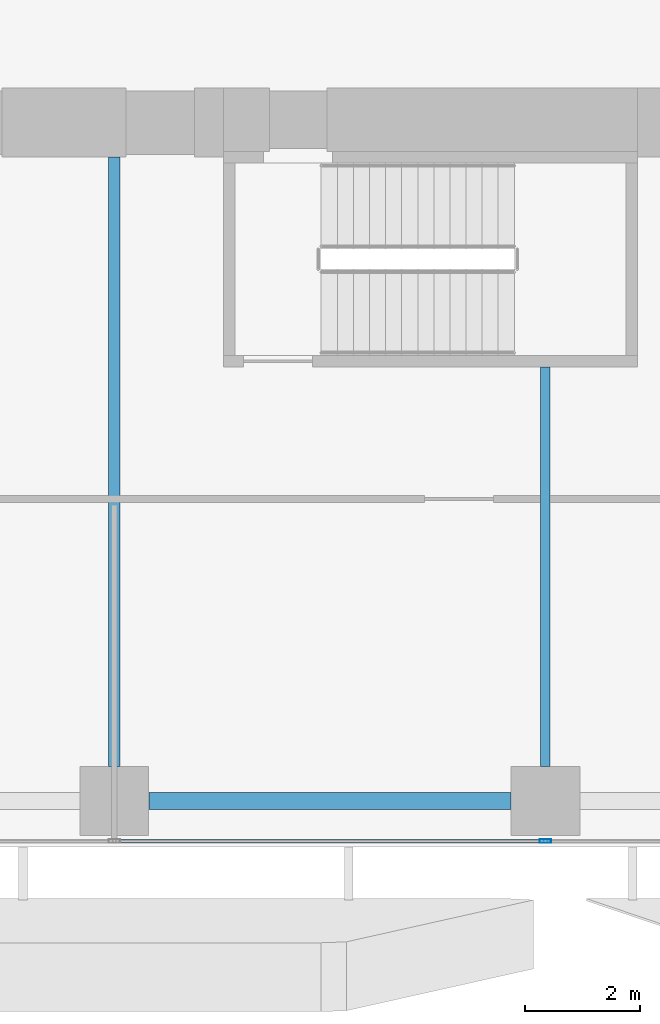
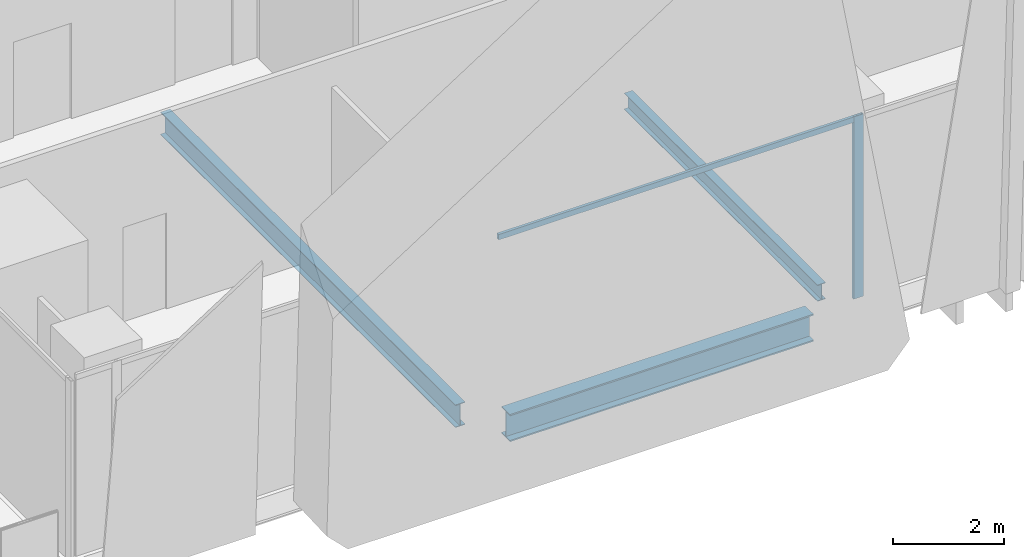
# One storey, part 3 of 46: 3 beams, 2 members, 1 element without a shape of its own.
"""IFC4 building model written with IfcOpenShell, lengths in metres."""

import ifcopenshell
import ifcopenshell.guid

model = None  # the IFC model being written
_history = None  # IfcOwnerHistory: only IFC2X3 demands one
_inside = {}  # id of a spatial element -> (the spatial element, [elements in it])
_under = {}  # id of a project, library or spatial element -> (it, [spatial elements below it])
_declared = {}  # id of a project -> (the project, [libraries it declares])
_typed = {}  # id of a type object -> (the type object, [elements of that type])
_made_of = {}  # id of a material, layer set ... -> (it, [elements and type objects made of it])


def new_model(schema):
    """Start an empty IFC model of exactly this schema.

    Asked for "IFC4X3", IfcOpenShell would pick the latest addendum, in which some entities
    have other attributes; the version numbers below select the first issue.
    IFC2X3 requires an IfcOwnerHistory on every rooted entity: one is made here for all.
    """
    global model, _history
    if schema == "IFC4X3":
        model = ifcopenshell.file(schema_version=(4, 3, 0, 0))
    else:
        model = ifcopenshell.file(schema=schema)
    _inside.clear()
    _under.clear()
    _declared.clear()
    _typed.clear()
    _made_of.clear()
    _history = None
    if model.schema == "IFC2X3":
        org = make("IfcOrganization", Name="unknown")
        user = make(
            "IfcPersonAndOrganization",
            ThePerson=make("IfcPerson", FamilyName="unknown"),
            TheOrganization=org,
        )
        app = make(
            "IfcApplication",
            ApplicationDeveloper=org,
            Version="unknown",
            ApplicationFullName="unknown",
            ApplicationIdentifier="unknown",
        )
        _history = make(
            "IfcOwnerHistory",
            OwningUser=user,
            OwningApplication=app,
            ChangeAction="ADDED",
            CreationDate=0,
        )
    return model


def make(cls, **values):
    """One entity of the class cls with the attributes given. An attribute that is None is left unset."""
    return model.create_entity(
        cls, **{name: value for name, value in values.items() if value is not None}
    )


def rooted(cls, **values):
    """An entity with a GlobalId (a new one), such as an element, a storey or a relation."""
    return make(cls, GlobalId=ifcopenshell.guid.new(), OwnerHistory=_history, **values)


def si_unit(unit_type, name, prefix=None):
    """IfcSIUnit, for example si_unit("LENGTHUNIT", "METRE", prefix="MILLI")."""
    return make("IfcSIUnit", UnitType=unit_type, Prefix=prefix, Name=name)


def assignment(units):
    """IfcUnitAssignment: the units of a project."""
    return None if units is None else make("IfcUnitAssignment", Units=units)


def point(xyz):
    """IfcCartesianPoint."""
    return None if xyz is None else make("IfcCartesianPoint", Coordinates=xyz)


def direction(xyz):
    """IfcDirection."""
    return None if xyz is None else make("IfcDirection", DirectionRatios=xyz)


def frame(location, z_axis=None, x_axis=None):
    """IfcAxis2Placement3D, a coordinate frame: its origin and axes. An axis left out is left unset."""
    return make(
        "IfcAxis2Placement3D",
        Location=point(location),
        Axis=direction(z_axis),
        RefDirection=direction(x_axis),
    )


def frame_2d(location, x_axis=None):
    """IfcAxis2Placement2D, a coordinate frame in the plane: its origin and x axis."""
    return make(
        "IfcAxis2Placement2D", Location=point(location), RefDirection=direction(x_axis)
    )


def origin():
    """The frame at (0, 0, 0) with its axes left unset."""
    return frame((0.0, 0.0, 0.0))


def origin_2d():
    """The frame at (0, 0) in the plane with its x axis left unset."""
    return frame_2d((0.0, 0.0))


def place(relative_to, where):
    """IfcLocalPlacement: puts the frame where relative to a parent placement (None: the world)."""
    return make(
        "IfcLocalPlacement", PlacementRelTo=relative_to, RelativePlacement=where
    )


def context(
    kind, dimensions, precision=None, world=None, true_north=None, identifier=None
):
    """IfcGeometricRepresentationContext, for example the 3D "Model" context."""
    return make(
        "IfcGeometricRepresentationContext",
        ContextIdentifier=identifier,
        ContextType=kind,
        CoordinateSpaceDimension=dimensions,
        Precision=precision,
        WorldCoordinateSystem=world,
        TrueNorth=true_north,
    )


def subcontext(parent, identifier, kind, view, scale=None):
    """IfcGeometricRepresentationSubContext, for example "Body" below "Model"."""
    return make(
        "IfcGeometricRepresentationSubContext",
        ContextIdentifier=identifier,
        ContextType=kind,
        ParentContext=parent,
        TargetScale=scale,
        TargetView=view,
    )


def project(units=None, contexts=None):
    """IfcProject with its units and contexts."""
    return rooted(
        "IfcProject",
        Name="project",
        RepresentationContexts=contexts,
        UnitsInContext=assignment(units),
    )


def spatial(cls, under=None, at=None, **own):
    """A site, building, storey or space (cls), placed at a placement, below another one or the project."""
    s = rooted(cls, ObjectPlacement=at, **own)
    if under is not None:
        _under.setdefault(under.id(), (under, []))[1].append(s)
    return s


def profile(cls, at=None, kind="AREA", **sizes):
    """A parametric profile (cls). Its sizes go by their IFC names, for example OverallWidth=200.0."""
    return make(cls, ProfileType=kind, Position=at, **sizes)


def hollow_rectangle(**sizes):
    """IfcRectangleHollowProfileDef."""
    return profile("IfcRectangleHollowProfileDef", **sizes)


def i_section(**sizes):
    """IfcIShapeProfileDef."""
    return profile("IfcIShapeProfileDef", **sizes)


def extrude(swept, where, along, depth):
    """IfcExtrudedAreaSolid: the profile swept, set in the frame where, extruded along a direction by depth."""
    return make(
        "IfcExtrudedAreaSolid",
        SweptArea=swept,
        Position=where,
        ExtrudedDirection=direction(along),
        Depth=depth,
    )


def shape(context_of_items, identifier, shape_type, items):
    """IfcShapeRepresentation: the items that make up one representation, for example the "Body"."""
    return make(
        "IfcShapeRepresentation",
        ContextOfItems=context_of_items,
        RepresentationIdentifier=identifier,
        RepresentationType=shape_type,
        Items=items,
    )


def source(mapping_origin, context_of_items, identifier, shape_type, items):
    """IfcRepresentationMap: a shape defined once, which mapped items show again and again."""
    return make(
        "IfcRepresentationMap",
        MappingOrigin=mapping_origin,
        MappedRepresentation=shape(context_of_items, identifier, shape_type, items),
    )


def transform(
    local_origin,
    x_axis=None,
    y_axis=None,
    z_axis=None,
    scale=None,
    scale2=None,
    scale3=None,
    uniform=True,
):
    """IfcCartesianTransformationOperator3D, or its non-uniform kind. x_axis, y_axis, z_axis: its Axis1, 2, 3."""
    if uniform:
        return make(
            "IfcCartesianTransformationOperator3D",
            Axis1=direction(x_axis),
            Axis2=direction(y_axis),
            LocalOrigin=point(local_origin),
            Scale=scale,
            Axis3=direction(z_axis),
        )
    return make(
        "IfcCartesianTransformationOperator3DnonUniform",
        Axis1=direction(x_axis),
        Axis2=direction(y_axis),
        LocalOrigin=point(local_origin),
        Scale=scale,
        Axis3=direction(z_axis),
        Scale2=scale2,
        Scale3=scale3,
    )


def mapped(mapping_source, mapping_target):
    """IfcMappedItem: shows the shape of a source again, moved by a transform."""
    return make(
        "IfcMappedItem", MappingSource=mapping_source, MappingTarget=mapping_target
    )


def material(Name=None, Category=None):
    """IfcMaterial."""
    return make("IfcMaterial", Name=Name, Category=Category)


def material_profile(
    of_material, cross_section, Name=None, Category=None, Priority=None
):
    """IfcMaterialProfile: a cross section and its material."""
    return make(
        "IfcMaterialProfile",
        Name=Name,
        Material=of_material,
        Profile=cross_section,
        Priority=Priority,
        Category=Category,
    )


def profile_set(profiles, Name=None, composite=None):
    """IfcMaterialProfileSet."""
    return make(
        "IfcMaterialProfileSet",
        Name=Name,
        MaterialProfiles=profiles,
        CompositeProfile=composite,
    )


def made_of(thing, what):
    """Note that an element or type object is made of a material, layer set ...; save() writes the relation."""
    if what is not None:
        _made_of.setdefault(what.id(), (what, []))[1].append(thing)
    return thing


def type_object(cls, material=None, **own):
    """A type object (cls), such as IfcWallType, which elements share."""
    return made_of(rooted(cls, **own), material)


def element(
    cls,
    number,
    at=None,
    inside=None,
    cuts=None,
    type_object=None,
    material=None,
    context=None,
    identifier="Body",
    shape_type=None,
    held_by="IfcProductDefinitionShape",
    body=None,
    shapes=None,
    **own,
):
    """One element of the class cls, such as IfcWall. Its Tag is "e" and its number.

    at: its placement. inside: the storey or other place that contains it. cuts: it is an
    opening in that element (IfcRelVoidsElement). A single representation is given by context,
    identifier, shape_type and body (its items); several are given by shapes. held_by: the class
    of the entity that holds the representations. save() writes the other relations.
    """
    e = rooted(cls, Tag="e%d" % number, ObjectPlacement=at, **own)
    if body is not None:
        shapes = [shape(context, identifier, shape_type, body)]
    if shapes is not None:
        e.Representation = make(held_by, Representations=shapes)
    if inside is not None:
        _inside.setdefault(inside.id(), (inside, []))[1].append(e)
    if cuts is not None:
        rooted(
            "IfcRelVoidsElement", RelatingBuildingElement=cuts, RelatedOpeningElement=e
        )
    if type_object is not None:
        _typed.setdefault(type_object.id(), (type_object, []))[1].append(e)
    return made_of(e, material)


def aggregate(whole, parts):
    """IfcRelAggregates: a whole, such as a stair, and the parts it consists of."""
    return rooted("IfcRelAggregates", RelatingObject=whole, RelatedObjects=parts)


def save(model, path):
    """Write the relations noted so far, then the file.

    IfcRelAggregates (storeys below a building ...), IfcRelContainedInSpatialStructure (elements
    in a storey), IfcRelDefinesByType, IfcRelAssociatesMaterial and IfcRelDeclares: one each for
    every whole, place, type object, material and project.
    """
    for whole, parts in _under.values():
        aggregate(whole, parts)
    for where, things in _inside.values():
        rooted(
            "IfcRelContainedInSpatialStructure",
            RelatedElements=things,
            RelatingStructure=where,
        )
    for kind, things in _typed.values():
        rooted("IfcRelDefinesByType", RelatedObjects=things, RelatingType=kind)
    for what, things in _made_of.values():
        rooted("IfcRelAssociatesMaterial", RelatedObjects=things, RelatingMaterial=what)
    for by, libraries in _declared.values():
        rooted("IfcRelDeclares", RelatingContext=by, RelatedDefinitions=libraries)
    model.write(path)


model = new_model("IFC4")

# Units and contexts
model_context = context("Model", 3, precision=1e-05, world=origin(), true_north=direction((0.0, 1.0)))
body_context = subcontext(model_context, "Body", "Model", "MODEL_VIEW")
ifc_project = project(units=[si_unit("LENGTHUNIT", "METRE"), si_unit("AREAUNIT", "SQUARE_METRE"), si_unit("VOLUMEUNIT", "CUBIC_METRE"), si_unit("PLANEANGLEUNIT", "RADIAN"), si_unit("MASSUNIT", "GRAM", prefix="KILO")], contexts=[model_context])

# Site, building, storey
site_placement = place(None, origin())
site = spatial("IfcSite", under=ifc_project, at=site_placement, CompositionType="ELEMENT")
building_placement = place(site_placement, origin())
building = spatial("IfcBuilding", under=site, at=building_placement, Name="Khomas Fold Tower", CompositionType="ELEMENT")
storey_placement = place(building_placement, frame((0.0, 0.0, 33.0)))
storey = spatial("IfcBuildingStorey", under=building, at=storey_placement, Name="L06", CompositionType="ELEMENT", Elevation=33.0)

# Beams
ifc_material_1 = material(Name="Steel S355", Category="steel")
ifc_material_profile_1 = material_profile(ifc_material_1, i_section(OverallWidth=0.199951171875, OverallDepth=0.5, WebThickness=0.01025390625, FlangeThickness=0.01611328125, at=origin_2d()), Name="IPE 500")
ifc_profile_set_1 = profile_set([ifc_material_profile_1], Name="Steel S355")
beam_type_1 = type_object("IfcBeamType", Name="IPE 500 beam JB5", PredefinedType="BEAM", material=ifc_profile_set_1)
shared_shape_1 = source(origin(), body_context, "Body", "SweptSolid", [
    extrude(i_section(OverallWidth=0.199951171875, OverallDepth=0.5, WebThickness=0.01025390625, FlangeThickness=0.01611328125, at=origin_2d()), origin(), (0.0, 0.0, 1.0), 10.60009765625),
])
beam_1_placement = place(storey_placement, frame((12.0, 1.39990234375, -0.75), z_axis=(0.0, 1.0, 0.0), x_axis=(-1.0, 0.0, 0.0)))
element("IfcBeam", 1, at=beam_1_placement, inside=storey, type_object=beam_type_1, Name="JB5", PredefinedType="BEAM", context=body_context, shape_type="MappedRepresentation", body=[
    mapped(shared_shape_1, transform((0.0, 0.0, 0.0))),
])
ifc_material_2 = material(Name="Steel S355", Category="steel")
ifc_material_profile_2 = material_profile(ifc_material_2, i_section(OverallWidth=0.169921875, OverallDepth=0.360107421875, WebThickness=0.008056640625, FlangeThickness=0.0126953125, at=origin_2d()), Name="IPE 360")
ifc_profile_set_2 = profile_set([ifc_material_profile_2], Name="Steel S355")
beam_type_2 = type_object("IfcBeamType", Name="IPE 360 beam JB2", PredefinedType="BEAM", material=ifc_profile_set_2)
shared_shape_2 = source(origin(), body_context, "Body", "SweptSolid", [
    extrude(i_section(OverallWidth=0.169921875, OverallDepth=0.360107421875, WebThickness=0.008056640625, FlangeThickness=0.0126953125, at=origin_2d()), origin(), (0.0, 0.0, 1.0), 6.9501953125),
])
beam_2_placement = place(storey_placement, frame((19.5, 1.39990234375, -0.679931640625), z_axis=(0.0, 1.0, 0.0), x_axis=(-1.0, 0.0, 0.0)))
element("IfcBeam", 2, at=beam_2_placement, inside=storey, type_object=beam_type_2, Name="JB2", PredefinedType="BEAM", context=body_context, shape_type="MappedRepresentation", body=[
    mapped(shared_shape_2, transform((0.0, 0.0, 0.0))),
])
ifc_material_3 = material(Name="Steel S355", Category="steel")
ifc_material_profile_3 = material_profile(ifc_material_3, i_section(OverallWidth=0.300048828125, OverallDepth=0.60009765625, WebThickness=0.015380859375, FlangeThickness=0.030029296875, at=origin_2d()), Name="HE 600 B")
ifc_profile_set_3 = profile_set([ifc_material_profile_3], Name="Steel S355")
beam_type_3 = type_object("IfcBeamType", Name="HE 600 B spandrel SB1", PredefinedType="SPANDREL", material=ifc_profile_set_3)
shared_shape_3 = source(origin(), body_context, "Body", "SweptSolid", [
    extrude(i_section(OverallWidth=0.300048828125, OverallDepth=0.60009765625, WebThickness=0.015380859375, FlangeThickness=0.030029296875, at=origin_2d()), origin(), (0.0, 0.0, 1.0), 6.2998046875),
])
beam_3_placement = place(storey_placement, frame((12.60009765625, 0.800048828125, -0.800048828125), z_axis=(1.0, 0.0, 0.0), x_axis=(0.0, 1.0, 0.0)))
element("IfcBeam", 3, at=beam_3_placement, inside=storey, type_object=beam_type_3, Name="SB1", PredefinedType="SPANDREL", context=body_context, shape_type="MappedRepresentation", body=[
    mapped(shared_shape_3, transform((0.0, 0.0, 0.0))),
])

# Curtain wall, members
ifc_material_4 = material(Name="Aluminium framed double glazing", Category="aluminium")
curtain_wall_type = type_object("IfcCurtainWallType", Name="SK-Unitised clear-glass wall, growing floors CW1", PredefinedType="NOTDEFINED", material=ifc_material_4)
curtain_wall_placement = place(storey_placement, origin())
curtain_wall = element("IfcCurtainWall", 4, at=curtain_wall_placement, inside=storey, type_object=curtain_wall_type, Name="CW1 run L06 00-0", PredefinedType="NOTDEFINED")
ifc_material_5 = material(Name="Aluminium", Category="aluminium")
ifc_material_profile_4 = material_profile(ifc_material_5, hollow_rectangle(XDim=0.06005859375, YDim=0.199951171875, WallThickness=0.00390625, at=origin_2d()), Name="SK-Unitised clear-glass wall, growing floors mullion CW1-M")
ifc_profile_set_4 = profile_set([ifc_material_profile_4], Name="Aluminium")
member_type_1 = type_object("IfcMemberType", Name="SK-Unitised clear-glass wall, growing floors mullion CW1-M", PredefinedType="MULLION", material=ifc_profile_set_4)
shared_shape_4 = source(origin(), body_context, "Body", "SweptSolid", [
    extrude(hollow_rectangle(XDim=0.06005859375, YDim=0.199951171875, WallThickness=0.00390625, at=origin_2d()), origin(), (0.0, 0.0, 1.0), 4.0),
])
member_1_placement = place(storey_placement, frame((19.5, 0.10009765625, 0.0), z_axis=(0.0, 0.0, 1.0), x_axis=(0.0, 1.0, 0.0)))
member_1 = element("IfcMember", 5, at=member_1_placement, type_object=member_type_1, Name="CW1 mullion 4", PredefinedType="MULLION", context=body_context, shape_type="MappedRepresentation", body=[
    mapped(shared_shape_4, transform((0.0, 0.0, 0.0))),
])
ifc_material_6 = material(Name="Aluminium", Category="aluminium")
ifc_material_profile_5 = material_profile(ifc_material_6, hollow_rectangle(XDim=0.06005859375, YDim=0.1201171875, WallThickness=0.00390625, at=origin_2d()), Name="SK-Unitised clear-glass wall, growing floors transom CW1-T")
ifc_profile_set_5 = profile_set([ifc_material_profile_5], Name="Aluminium")
member_type_2 = type_object("IfcMemberType", Name="SK-Unitised clear-glass wall, growing floors transom CW1-T", PredefinedType="USERDEFINED", material=ifc_profile_set_5)
shared_shape_5 = source(origin(), body_context, "Body", "SweptSolid", [
    extrude(hollow_rectangle(XDim=0.06005859375, YDim=0.1201171875, WallThickness=0.00390625, at=origin_2d()), origin(), (0.0, 0.0, 1.0), 7.43994140625),
])
member_2_placement = place(storey_placement, frame((12.030029296875, 0.10009765625, 3.93994140625), z_axis=(1.0, 0.0, 0.0), x_axis=(0.0, 1.0, 0.0)))
member_2 = element("IfcMember", 6, at=member_2_placement, type_object=member_type_2, Name="CW1 transom 3", ObjectType="TRANSOM", PredefinedType="USERDEFINED", context=body_context, shape_type="MappedRepresentation", body=[
    mapped(shared_shape_5, transform((0.0, 0.0, 0.0))),
])
aggregate(curtain_wall, [member_1, member_2])

save(model, "model.ifc")
